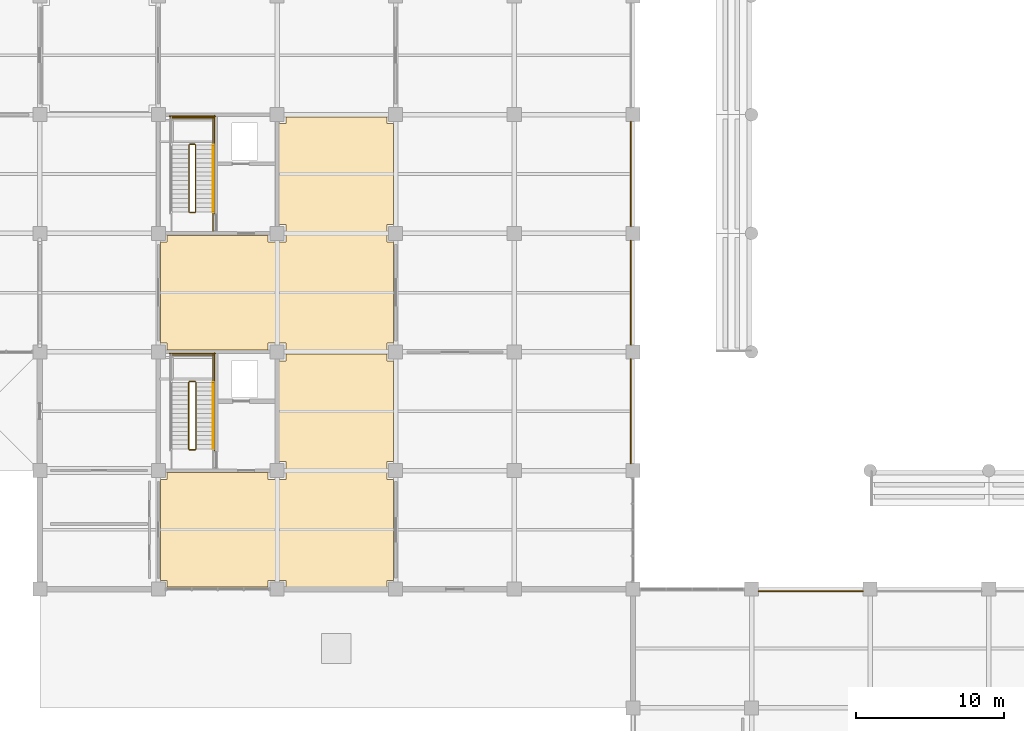
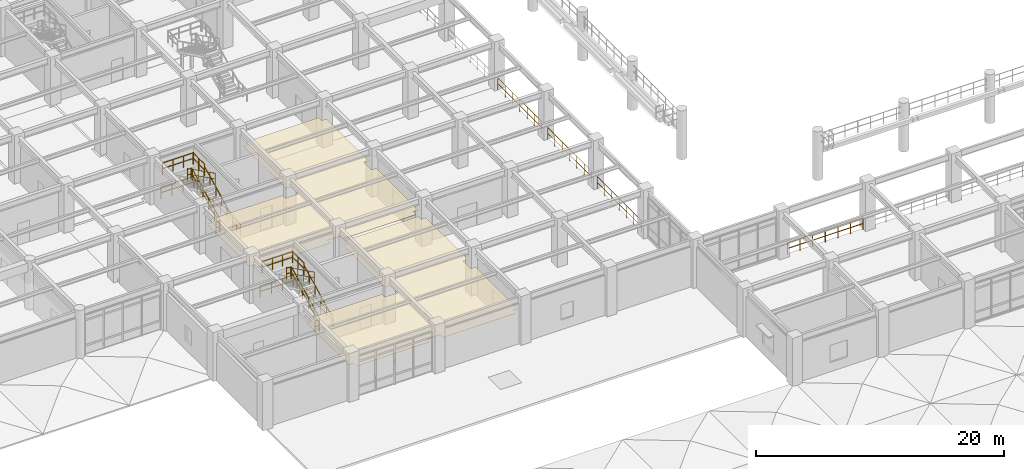
# One storey, part 93 of 109: 23 railings, 2 coverings.
"""IFC4 building model written with IfcOpenShell, lengths in metres."""

from ifc_helpers import new_model, si_unit, direction, frame, origin, origin_2d, place, context, subcontext, project, spatial, polyline, circle, outline, extrude, material, layer, layer_set, type_object, element, save


model = new_model("IFC4")

# Units and contexts
model_context = context("Model", 3, precision=1e-05, world=origin(), true_north=direction((0.0, 1.0)))
body_context = subcontext(model_context, "Body", "Model", "MODEL_VIEW")
ifc_project = project(units=[si_unit("LENGTHUNIT", "METRE"), si_unit("AREAUNIT", "SQUARE_METRE"), si_unit("VOLUMEUNIT", "CUBIC_METRE"), si_unit("PLANEANGLEUNIT", "RADIAN"), si_unit("MASSUNIT", "GRAM", prefix="KILO")], contexts=[model_context])

# Site, building, storey
site_placement = place(None, origin())
site = spatial("IfcSite", under=ifc_project, at=site_placement, CompositionType="ELEMENT")
building_placement = place(site_placement, origin())
building = spatial("IfcBuilding", under=site, at=building_placement, Name="Haebicheon Civic Stadium", CompositionType="ELEMENT")
storey_placement = place(building_placement, frame((0.0, 0.0, 9.60009765625)))
storey = spatial("IfcBuildingStorey", under=building, at=storey_placement, Name="L03", CompositionType="ELEMENT", Elevation=9.60009765625)

# Coverings
ifc_material_1 = material(Name="Perforated mineral-fibre acoustic board", Category="gypsum")
ifc_layer = layer(ifc_material_1, 0.0400390625, Name="Perforated mineral-fibre acoustic board")
ifc_layer_set = layer_set([ifc_layer], Name="Perforated mineral-fibre acoustic board")
covering_type = type_object("IfcCoveringType", Name="COV-CLG-AC", PredefinedType="CEILING", material=ifc_layer_set)
covering_1_placement = place(storey_placement, frame((0.0, 0.0, 2.809814453125)))
element("IfcCovering", 1, at=covering_1_placement, inside=storey, type_object=covering_type, material=ifc_layer_set, Name="L03 Supporters' Club Lounge acoustic ceiling", PredefinedType="CEILING", context=body_context, shape_type="SweptSolid", body=[
    extrude(outline(polyline([(32.14501953125, 39.405029296875), (32.594970703125, 39.405029296875), (32.594970703125, 39.85498046875), (39.405029296875, 39.85498046875), (39.405029296875, 39.405029296875), (40.594970703125, 39.405029296875), (40.594970703125, 40.594970703125), (40.14501953125, 40.594970703125), (40.14501953125, 47.405029296875), (40.594970703125, 47.405029296875), (40.594970703125, 47.85498046875), (47.405029296875, 47.85498046875), (47.405029296875, 47.405029296875), (47.85498046875, 47.405029296875), (47.85498046875, 40.594970703125), (47.405029296875, 40.594970703125), (47.405029296875, 39.405029296875), (47.85498046875, 39.405029296875), (47.85498046875, 32.594970703125), (47.405029296875, 32.594970703125), (47.405029296875, 32.14501953125), (40.594970703125, 32.14501953125), (40.594970703125, 32.594970703125), (39.405029296875, 32.594970703125), (39.405029296875, 32.14501953125), (32.594970703125, 32.14501953125), (32.594970703125, 32.594970703125), (32.14501953125, 32.594970703125), (32.14501953125, 39.405029296875)])), origin(), (0.0, 0.0, 1.0), 0.0400390625),
])
covering_2_placement = place(storey_placement, frame((0.0, 0.0, 2.809814453125)))
element("IfcCovering", 2, at=covering_2_placement, inside=storey, type_object=covering_type, material=ifc_layer_set, Name="L03 Club Dining Hall acoustic ceiling", PredefinedType="CEILING", context=body_context, shape_type="SweptSolid", body=[
    extrude(outline(polyline([(32.14501953125, 55.405029296875), (32.594970703125, 55.405029296875), (32.594970703125, 55.85498046875), (39.405029296875, 55.85498046875), (39.405029296875, 55.405029296875), (40.594970703125, 55.405029296875), (40.594970703125, 56.594970703125), (40.14501953125, 56.594970703125), (40.14501953125, 63.405029296875), (40.594970703125, 63.405029296875), (40.594970703125, 63.85498046875), (47.405029296875, 63.85498046875), (47.405029296875, 63.405029296875), (47.85498046875, 63.405029296875), (47.85498046875, 56.594970703125), (47.405029296875, 56.594970703125), (47.405029296875, 55.405029296875), (47.85498046875, 55.405029296875), (47.85498046875, 48.594970703125), (47.405029296875, 48.594970703125), (47.405029296875, 48.14501953125), (40.594970703125, 48.14501953125), (40.594970703125, 48.594970703125), (39.405029296875, 48.594970703125), (39.405029296875, 48.14501953125), (32.594970703125, 48.14501953125), (32.594970703125, 48.594970703125), (32.14501953125, 48.594970703125), (32.14501953125, 55.405029296875)])), origin(), (0.0, 0.0, 1.0), 0.0400390625),
])

# Railings
ifc_material_2 = material(Name="Stainless steel 316 and laminated glass", Category="steel")
railing_type_1 = type_object("IfcRailingType", Name="RL-BAL-1200", PredefinedType="BALUSTRADE", material=ifc_material_2)
for number, where, name in (
    (3, (63.860107421875, 40.47509765625, 0.0), "L03 concourse bowl-edge balustrade 042"),
    (4, (63.860107421875, 48.47509765625, 0.0), "L03 concourse bowl-edge balustrade 043"),
    (5, (63.860107421875, 56.47509765625, 0.0), "L03 concourse bowl-edge balustrade 044"),
):
    element("IfcRailing", number, at=place(storey_placement, frame(where)), inside=storey, type_object=railing_type_1, material=ifc_material_2, Name=name, PredefinedType="BALUSTRADE", context=body_context, shape_type="SweptSolid", body=[
        extrude(circle(Radius=0.02392578125, at=origin_2d()), frame((0.0, 0.0, 1.17578125), z_axis=(0.0, 1.0, 0.0), x_axis=(-1.0, 0.0, 0.0)), (0.0, 0.0, 1.0), 7.0498046875),
        extrude(circle(Radius=0.02392578125, at=origin_2d()), frame((0.0, 0.0, 0.60009765625), z_axis=(0.0, 1.0, 0.0), x_axis=(-1.0, 0.0, 0.0)), (0.0, 0.0, 1.0), 7.0498046875),
        extrude(circle(Radius=0.02099609375, at=origin_2d()), origin(), (0.0, 0.0, 1.0), 1.15185546875),
        extrude(circle(Radius=0.02099609375, at=origin_2d()), frame((0.0, 1.175048828125, 0.0)), (0.0, 0.0, 1.0), 1.15185546875),
        extrude(circle(Radius=0.02099609375, at=origin_2d()), frame((0.0, 2.349853515625, 0.0)), (0.0, 0.0, 1.0), 1.15185546875),
        extrude(circle(Radius=0.02099609375, at=origin_2d()), frame((0.0, 3.52490234375, 0.0)), (0.0, 0.0, 1.0), 1.15185546875),
        extrude(circle(Radius=0.02099609375, at=origin_2d()), frame((0.0, 4.699951171875, 0.0)), (0.0, 0.0, 1.0), 1.15185546875),
        extrude(circle(Radius=0.02099609375, at=origin_2d()), frame((0.0, 5.874755859375, 0.0)), (0.0, 0.0, 1.0), 1.15185546875),
        extrude(circle(Radius=0.02099609375, at=origin_2d()), frame((0.0, 7.0498046875, 0.0)), (0.0, 0.0, 1.0), 1.15185546875),
    ])
railing_1_placement = place(storey_placement, frame((72.47509765625, 31.860107421875, 0.0)))
element("IfcRailing", 6, at=railing_1_placement, inside=storey, type_object=railing_type_1, material=ifc_material_2, Name="L03 concourse bowl-edge balustrade 055", PredefinedType="BALUSTRADE", context=body_context, shape_type="SweptSolid", body=[
    extrude(circle(Radius=0.02392578125, at=origin_2d()), frame((0.0, 0.0, 1.17578125), z_axis=(1.0, 0.0, 0.0), x_axis=(0.0, 1.0, 0.0)), (0.0, 0.0, 1.0), 7.0498046875),
    extrude(circle(Radius=0.02392578125, at=origin_2d()), frame((0.0, 0.0, 0.60009765625), z_axis=(1.0, 0.0, 0.0), x_axis=(0.0, 1.0, 0.0)), (0.0, 0.0, 1.0), 7.0498046875),
    extrude(circle(Radius=0.02099609375, at=origin_2d()), origin(), (0.0, 0.0, 1.0), 1.15185546875),
    extrude(circle(Radius=0.02099609375, at=origin_2d()), frame((1.175048828125, 0.0, 0.0)), (0.0, 0.0, 1.0), 1.15185546875),
    extrude(circle(Radius=0.02099609375, at=origin_2d()), frame((2.349853515625, 0.0, 0.0)), (0.0, 0.0, 1.0), 1.15185546875),
    extrude(circle(Radius=0.02099609375, at=origin_2d()), frame((3.52490234375, 0.0, 0.0)), (0.0, 0.0, 1.0), 1.15185546875),
    extrude(circle(Radius=0.02099609375, at=origin_2d()), frame((4.699951171875, 0.0, 0.0)), (0.0, 0.0, 1.0), 1.15185546875),
    extrude(circle(Radius=0.02099609375, at=origin_2d()), frame((5.874755859375, 0.0, 0.0)), (0.0, 0.0, 1.0), 1.15185546875),
    extrude(circle(Radius=0.02099609375, at=origin_2d()), frame((7.0498046875, 0.0, 0.0)), (0.0, 0.0, 1.0), 1.15185546875),
])
ifc_material_3 = material(Name="Galvanised painted steel SM355", Category="steel")
railing_type_2 = type_object("IfcRailingType", Name="RL-GRD-1150", PredefinedType="GUARDRAIL", material=ifc_material_3)
railing_2_placement = place(storey_placement, frame((34.530029296875, 41.449951171875, 0.14990234375)))
element("IfcRailing", 7, at=railing_2_placement, inside=storey, type_object=railing_type_2, material=ifc_material_3, Name="L03 ST-01 stair guard 1", PredefinedType="GUARDRAIL", context=body_context, shape_type="SweptSolid", body=[
    extrude(circle(Radius=0.02392578125, at=origin_2d()), frame((0.0, 0.0, 1.1259765625), z_axis=(0.0, 0.894427191, 0.4472135955), x_axis=(-1.0, 0.0, 0.0)), (0.0, 0.0, 1.0), 5.03125),
    extrude(circle(Radius=0.02392578125, at=origin_2d()), frame((0.0, 0.0, 0.574951171875), z_axis=(0.0, 0.894427191, 0.4472135955), x_axis=(-1.0, 0.0, 0.0)), (0.0, 0.0, 1.0), 5.03125),
    extrude(circle(Radius=0.02099609375, at=origin_2d()), origin(), (0.0, 0.0, 1.0), 1.101806640625),
    extrude(circle(Radius=0.02099609375, at=origin_2d()), frame((0.0, 0.89990234375, 0.449951171875)), (0.0, 0.0, 1.0), 1.101806640625),
    extrude(circle(Radius=0.02099609375, at=origin_2d()), frame((0.0, 1.800048828125, 0.89990234375)), (0.0, 0.0, 1.0), 1.101806640625),
    extrude(circle(Radius=0.02099609375, at=origin_2d()), frame((0.0, 2.699951171875, 1.35009765625)), (0.0, 0.0, 1.0), 1.101806640625),
    extrude(circle(Radius=0.02099609375, at=origin_2d()), frame((0.0, 3.60009765625, 1.800048828125)), (0.0, 0.0, 1.0), 1.101806640625),
    extrude(circle(Radius=0.02099609375, at=origin_2d()), frame((0.0, 4.5, 2.25)), (0.0, 0.0, 1.0), 1.101806640625),
])
railing_3_placement = place(storey_placement, frame((34.47998046875, 46.0, 2.39990234375)))
element("IfcRailing", 8, at=railing_3_placement, inside=storey, type_object=railing_type_2, material=ifc_material_3, Name="L03 ST-01 stair guard 2", PredefinedType="GUARDRAIL", context=body_context, shape_type="SweptSolid", body=[
    extrude(circle(Radius=0.02392578125, at=origin_2d()), frame((0.0, 0.0, 1.1259765625), z_axis=(-1.0, 0.0, 0.0), x_axis=(0.0, -1.0, 0.0)), (0.0, 0.0, 1.0), 0.3798828125),
    extrude(circle(Radius=0.02392578125, at=origin_2d()), frame((0.0, 0.0, 0.574951171875), z_axis=(-1.0, 0.0, 0.0), x_axis=(0.0, -1.0, 0.0)), (0.0, 0.0, 1.0), 0.3798828125),
    extrude(circle(Radius=0.02099609375, at=origin_2d()), origin(), (0.0, 0.0, 1.0), 1.101806640625),
    extrude(circle(Radius=0.02099609375, at=origin_2d()), frame((-0.3798828125, 0.0, 0.0)), (0.0, 0.0, 1.0), 1.101806640625),
])
railing_4_placement = place(storey_placement, frame((35.68994140625, 45.949951171875, 2.39990234375)))
element("IfcRailing", 9, at=railing_4_placement, inside=storey, type_object=railing_type_2, material=ifc_material_3, Name="L03 ST-01 stair guard 3", PredefinedType="GUARDRAIL", context=body_context, shape_type="SweptSolid", body=[
    extrude(circle(Radius=0.02392578125, at=origin_2d()), frame((0.0, 0.0, 1.1259765625), z_axis=(0.0, 1.0, 0.0), x_axis=(-1.0, 0.0, 0.0)), (0.0, 0.0, 1.0), 1.89013671875),
    extrude(circle(Radius=0.02392578125, at=origin_2d()), frame((0.0, 0.0, 0.574951171875), z_axis=(0.0, 1.0, 0.0), x_axis=(-1.0, 0.0, 0.0)), (0.0, 0.0, 1.0), 1.89013671875),
    extrude(circle(Radius=0.02099609375, at=origin_2d()), origin(), (0.0, 0.0, 1.0), 1.101806640625),
    extrude(circle(Radius=0.02099609375, at=origin_2d()), frame((0.0, 0.945068359375, 0.0)), (0.0, 0.0, 1.0), 1.101806640625),
    extrude(circle(Radius=0.02099609375, at=origin_2d()), frame((0.0, 1.89013671875, 0.0)), (0.0, 0.0, 1.0), 1.101806640625),
])
railing_5_placement = place(storey_placement, frame((35.739990234375, 47.7900390625, 2.39990234375)))
element("IfcRailing", 10, at=railing_5_placement, inside=storey, type_object=railing_type_2, material=ifc_material_3, Name="L03 ST-01 stair guard 5", PredefinedType="GUARDRAIL", context=body_context, shape_type="SweptSolid", body=[
    extrude(circle(Radius=0.02392578125, at=origin_2d()), frame((0.0, 0.0, 1.1259765625), z_axis=(-1.0, 0.0, 0.0), x_axis=(0.0, -1.0, 0.0)), (0.0, 0.0, 1.0), 2.89990234375),
    extrude(circle(Radius=0.02392578125, at=origin_2d()), frame((0.0, 0.0, 0.574951171875), z_axis=(-1.0, 0.0, 0.0), x_axis=(0.0, -1.0, 0.0)), (0.0, 0.0, 1.0), 2.89990234375),
    extrude(circle(Radius=0.02099609375, at=origin_2d()), origin(), (0.0, 0.0, 1.0), 1.101806640625),
    extrude(circle(Radius=0.02099609375, at=origin_2d()), frame((-0.966552734375, 0.0, 0.0)), (0.0, 0.0, 1.0), 1.101806640625),
    extrude(circle(Radius=0.02099609375, at=origin_2d()), frame((-1.933349609375, 0.0, 0.0)), (0.0, 0.0, 1.0), 1.101806640625),
    extrude(circle(Radius=0.02099609375, at=origin_2d()), frame((-2.89990234375, 0.0, 0.0)), (0.0, 0.0, 1.0), 1.101806640625),
])
railing_6_placement = place(storey_placement, frame((34.050048828125, 45.949951171875, 2.5498046875)))
element("IfcRailing", 11, at=railing_6_placement, inside=storey, type_object=railing_type_2, material=ifc_material_3, Name="L03 ST-01 stair guard 6", PredefinedType="GUARDRAIL", context=body_context, shape_type="SweptSolid", body=[
    extrude(circle(Radius=0.02392578125, at=origin_2d()), frame((0.0, 0.0, 1.1259765625), z_axis=(0.0, -0.894427191, 0.4472135955), x_axis=(1.0, 0.0, 0.0)), (0.0, 0.0, 1.0), 5.03125),
    extrude(circle(Radius=0.02392578125, at=origin_2d()), frame((0.0, 0.0, 0.574951171875), z_axis=(0.0, -0.894427191, 0.4472135955), x_axis=(1.0, 0.0, 0.0)), (0.0, 0.0, 1.0), 5.03125),
    extrude(circle(Radius=0.02099609375, at=origin_2d()), origin(), (0.0, 0.0, 1.0), 1.101806640625),
    extrude(circle(Radius=0.02099609375, at=origin_2d()), frame((0.0, -0.89990234375, 0.449951171875)), (0.0, 0.0, 1.0), 1.101806640625),
    extrude(circle(Radius=0.02099609375, at=origin_2d()), frame((0.0, -1.800048828125, 0.89990234375)), (0.0, 0.0, 1.0), 1.101806640625),
    extrude(circle(Radius=0.02099609375, at=origin_2d()), frame((0.0, -2.699951171875, 1.35009765625)), (0.0, 0.0, 1.0), 1.101806640625),
    extrude(circle(Radius=0.02099609375, at=origin_2d()), frame((0.0, -3.60009765625, 1.800048828125)), (0.0, 0.0, 1.0), 1.101806640625),
    extrude(circle(Radius=0.02099609375, at=origin_2d()), frame((0.0, -4.5, 2.25)), (0.0, 0.0, 1.0), 1.101806640625),
])
railing_7_placement = place(storey_placement, frame((34.47998046875, 41.39990234375, 0.0)))
element("IfcRailing", 12, at=railing_7_placement, inside=storey, type_object=railing_type_2, material=ifc_material_3, Name="L03 ST-01 stair guard 7", PredefinedType="GUARDRAIL", context=body_context, shape_type="SweptSolid", body=[
    extrude(circle(Radius=0.02392578125, at=origin_2d()), frame((0.0, 0.0, 1.1259765625), z_axis=(-1.0, 0.0, 0.0), x_axis=(0.0, -1.0, 0.0)), (0.0, 0.0, 1.0), 0.3798828125),
    extrude(circle(Radius=0.02392578125, at=origin_2d()), frame((0.0, 0.0, 0.574951171875), z_axis=(-1.0, 0.0, 0.0), x_axis=(0.0, -1.0, 0.0)), (0.0, 0.0, 1.0), 0.3798828125),
    extrude(circle(Radius=0.02099609375, at=origin_2d()), origin(), (0.0, 0.0, 1.0), 1.101806640625),
    extrude(circle(Radius=0.02099609375, at=origin_2d()), frame((-0.3798828125, 0.0, 0.0)), (0.0, 0.0, 1.0), 1.101806640625),
])
railing_8_placement = place(storey_placement, frame((35.7900390625, 41.35009765625, 0.0)))
element("IfcRailing", 13, at=railing_8_placement, inside=storey, type_object=railing_type_2, material=ifc_material_3, Name="L03 ST-01 stair guard 10", PredefinedType="GUARDRAIL", context=body_context, shape_type="SweptSolid", body=[
    extrude(circle(Radius=0.02392578125, at=origin_2d()), frame((0.0, 0.0, 1.1259765625), z_axis=(0.0, 1.0, 0.0), x_axis=(-1.0, 0.0, 0.0)), (0.0, 0.0, 1.0), 6.58984375),
    extrude(circle(Radius=0.02392578125, at=origin_2d()), frame((0.0, 0.0, 0.574951171875), z_axis=(0.0, 1.0, 0.0), x_axis=(-1.0, 0.0, 0.0)), (0.0, 0.0, 1.0), 6.58984375),
    extrude(circle(Radius=0.02099609375, at=origin_2d()), origin(), (0.0, 0.0, 1.0), 1.101806640625),
    extrude(circle(Radius=0.02099609375, at=origin_2d()), frame((0.0, 1.098388671875, 0.0)), (0.0, 0.0, 1.0), 1.101806640625),
    extrude(circle(Radius=0.02099609375, at=origin_2d()), frame((0.0, 2.196533203125, 0.0)), (0.0, 0.0, 1.0), 1.101806640625),
    extrude(circle(Radius=0.02099609375, at=origin_2d()), frame((0.0, 3.294921875, 0.0)), (0.0, 0.0, 1.0), 1.101806640625),
    extrude(circle(Radius=0.02099609375, at=origin_2d()), frame((0.0, 4.393310546875, 0.0)), (0.0, 0.0, 1.0), 1.101806640625),
    extrude(circle(Radius=0.02099609375, at=origin_2d()), frame((0.0, 5.491455078125, 0.0)), (0.0, 0.0, 1.0), 1.101806640625),
    extrude(circle(Radius=0.02099609375, at=origin_2d()), frame((0.0, 6.58984375, 0.0)), (0.0, 0.0, 1.0), 1.101806640625),
])
railing_9_placement = place(storey_placement, frame((35.840087890625, 47.889892578125, 0.0)))
element("IfcRailing", 14, at=railing_9_placement, inside=storey, type_object=railing_type_2, material=ifc_material_3, Name="L03 ST-01 stair guard 12", PredefinedType="GUARDRAIL", context=body_context, shape_type="SweptSolid", body=[
    extrude(circle(Radius=0.02392578125, at=origin_2d()), frame((0.0, 0.0, 1.1259765625), z_axis=(-1.0, 0.0, 0.0), x_axis=(0.0, -1.0, 0.0)), (0.0, 0.0, 1.0), 3.10009765625),
    extrude(circle(Radius=0.02392578125, at=origin_2d()), frame((0.0, 0.0, 0.574951171875), z_axis=(-1.0, 0.0, 0.0), x_axis=(0.0, -1.0, 0.0)), (0.0, 0.0, 1.0), 3.10009765625),
    extrude(circle(Radius=0.02099609375, at=origin_2d()), origin(), (0.0, 0.0, 1.0), 1.101806640625),
    extrude(circle(Radius=0.02099609375, at=origin_2d()), frame((-1.033447265625, 0.0, 0.0)), (0.0, 0.0, 1.0), 1.101806640625),
    extrude(circle(Radius=0.02099609375, at=origin_2d()), frame((-2.066650390625, 0.0, 0.0)), (0.0, 0.0, 1.0), 1.101806640625),
    extrude(circle(Radius=0.02099609375, at=origin_2d()), frame((-3.10009765625, 0.0, 0.0)), (0.0, 0.0, 1.0), 1.101806640625),
])
railing_10_placement = place(storey_placement, frame((34.510009765625, 57.449951171875, 0.14990234375)))
element("IfcRailing", 15, at=railing_10_placement, inside=storey, type_object=railing_type_2, material=ifc_material_3, Name="L03 ST-02 stair guard 1", PredefinedType="GUARDRAIL", context=body_context, shape_type="SweptSolid", body=[
    extrude(circle(Radius=0.02392578125, at=origin_2d()), frame((0.0, 0.0, 1.1259765625), z_axis=(0.0, 0.894427191, 0.4472135955), x_axis=(-1.0, 0.0, 0.0)), (0.0, 0.0, 1.0), 5.03125),
    extrude(circle(Radius=0.02392578125, at=origin_2d()), frame((0.0, 0.0, 0.574951171875), z_axis=(0.0, 0.894427191, 0.4472135955), x_axis=(-1.0, 0.0, 0.0)), (0.0, 0.0, 1.0), 5.03125),
    extrude(circle(Radius=0.02099609375, at=origin_2d()), origin(), (0.0, 0.0, 1.0), 1.101806640625),
    extrude(circle(Radius=0.02099609375, at=origin_2d()), frame((0.0, 0.89990234375, 0.449951171875)), (0.0, 0.0, 1.0), 1.101806640625),
    extrude(circle(Radius=0.02099609375, at=origin_2d()), frame((0.0, 1.800048828125, 0.89990234375)), (0.0, 0.0, 1.0), 1.101806640625),
    extrude(circle(Radius=0.02099609375, at=origin_2d()), frame((0.0, 2.699951171875, 1.35009765625)), (0.0, 0.0, 1.0), 1.101806640625),
    extrude(circle(Radius=0.02099609375, at=origin_2d()), frame((0.0, 3.60009765625, 1.800048828125)), (0.0, 0.0, 1.0), 1.101806640625),
    extrude(circle(Radius=0.02099609375, at=origin_2d()), frame((0.0, 4.5, 2.25)), (0.0, 0.0, 1.0), 1.101806640625),
])
railing_11_placement = place(storey_placement, frame((34.4599609375, 62.0, 2.39990234375)))
element("IfcRailing", 16, at=railing_11_placement, inside=storey, type_object=railing_type_2, material=ifc_material_3, Name="L03 ST-02 stair guard 2", PredefinedType="GUARDRAIL", context=body_context, shape_type="SweptSolid", body=[
    extrude(circle(Radius=0.02392578125, at=origin_2d()), frame((0.0, 0.0, 1.1259765625), z_axis=(-1.0, 0.0, 0.0), x_axis=(0.0, -1.0, 0.0)), (0.0, 0.0, 1.0), 0.33984375),
    extrude(circle(Radius=0.02392578125, at=origin_2d()), frame((0.0, 0.0, 0.574951171875), z_axis=(-1.0, 0.0, 0.0), x_axis=(0.0, -1.0, 0.0)), (0.0, 0.0, 1.0), 0.33984375),
    extrude(circle(Radius=0.02099609375, at=origin_2d()), origin(), (0.0, 0.0, 1.0), 1.101806640625),
    extrude(circle(Radius=0.02099609375, at=origin_2d()), frame((-0.33984375, 0.0, 0.0)), (0.0, 0.0, 1.0), 1.101806640625),
])
railing_12_placement = place(storey_placement, frame((35.68994140625, 61.949951171875, 2.39990234375)))
element("IfcRailing", 17, at=railing_12_placement, inside=storey, type_object=railing_type_2, material=ifc_material_3, Name="L03 ST-02 stair guard 3", PredefinedType="GUARDRAIL", context=body_context, shape_type="SweptSolid", body=[
    extrude(circle(Radius=0.02392578125, at=origin_2d()), frame((0.0, 0.0, 1.1259765625), z_axis=(0.0, 1.0, 0.0), x_axis=(-1.0, 0.0, 0.0)), (0.0, 0.0, 1.0), 1.89013671875),
    extrude(circle(Radius=0.02392578125, at=origin_2d()), frame((0.0, 0.0, 0.574951171875), z_axis=(0.0, 1.0, 0.0), x_axis=(-1.0, 0.0, 0.0)), (0.0, 0.0, 1.0), 1.89013671875),
    extrude(circle(Radius=0.02099609375, at=origin_2d()), origin(), (0.0, 0.0, 1.0), 1.101806640625),
    extrude(circle(Radius=0.02099609375, at=origin_2d()), frame((0.0, 0.945068359375, 0.0)), (0.0, 0.0, 1.0), 1.101806640625),
    extrude(circle(Radius=0.02099609375, at=origin_2d()), frame((0.0, 1.89013671875, 0.0)), (0.0, 0.0, 1.0), 1.101806640625),
])
railing_13_placement = place(storey_placement, frame((35.739990234375, 63.7900390625, 2.39990234375)))
element("IfcRailing", 18, at=railing_13_placement, inside=storey, type_object=railing_type_2, material=ifc_material_3, Name="L03 ST-02 stair guard 5", PredefinedType="GUARDRAIL", context=body_context, shape_type="SweptSolid", body=[
    extrude(circle(Radius=0.02392578125, at=origin_2d()), frame((0.0, 0.0, 1.1259765625), z_axis=(-1.0, 0.0, 0.0), x_axis=(0.0, -1.0, 0.0)), (0.0, 0.0, 1.0), 2.89990234375),
    extrude(circle(Radius=0.02392578125, at=origin_2d()), frame((0.0, 0.0, 0.574951171875), z_axis=(-1.0, 0.0, 0.0), x_axis=(0.0, -1.0, 0.0)), (0.0, 0.0, 1.0), 2.89990234375),
    extrude(circle(Radius=0.02099609375, at=origin_2d()), origin(), (0.0, 0.0, 1.0), 1.101806640625),
    extrude(circle(Radius=0.02099609375, at=origin_2d()), frame((-0.966552734375, 0.0, 0.0)), (0.0, 0.0, 1.0), 1.101806640625),
    extrude(circle(Radius=0.02099609375, at=origin_2d()), frame((-1.933349609375, 0.0, 0.0)), (0.0, 0.0, 1.0), 1.101806640625),
    extrude(circle(Radius=0.02099609375, at=origin_2d()), frame((-2.89990234375, 0.0, 0.0)), (0.0, 0.0, 1.0), 1.101806640625),
])
railing_14_placement = place(storey_placement, frame((34.070068359375, 61.949951171875, 2.5498046875)))
element("IfcRailing", 19, at=railing_14_placement, inside=storey, type_object=railing_type_2, material=ifc_material_3, Name="L03 ST-02 stair guard 6", PredefinedType="GUARDRAIL", context=body_context, shape_type="SweptSolid", body=[
    extrude(circle(Radius=0.02392578125, at=origin_2d()), frame((0.0, 0.0, 1.1259765625), z_axis=(0.0, -0.894427191, 0.4472135955), x_axis=(1.0, 0.0, 0.0)), (0.0, 0.0, 1.0), 5.03125),
    extrude(circle(Radius=0.02392578125, at=origin_2d()), frame((0.0, 0.0, 0.574951171875), z_axis=(0.0, -0.894427191, 0.4472135955), x_axis=(1.0, 0.0, 0.0)), (0.0, 0.0, 1.0), 5.03125),
    extrude(circle(Radius=0.02099609375, at=origin_2d()), origin(), (0.0, 0.0, 1.0), 1.101806640625),
    extrude(circle(Radius=0.02099609375, at=origin_2d()), frame((0.0, -0.89990234375, 0.449951171875)), (0.0, 0.0, 1.0), 1.101806640625),
    extrude(circle(Radius=0.02099609375, at=origin_2d()), frame((0.0, -1.800048828125, 0.89990234375)), (0.0, 0.0, 1.0), 1.101806640625),
    extrude(circle(Radius=0.02099609375, at=origin_2d()), frame((0.0, -2.699951171875, 1.35009765625)), (0.0, 0.0, 1.0), 1.101806640625),
    extrude(circle(Radius=0.02099609375, at=origin_2d()), frame((0.0, -3.60009765625, 1.800048828125)), (0.0, 0.0, 1.0), 1.101806640625),
    extrude(circle(Radius=0.02099609375, at=origin_2d()), frame((0.0, -4.5, 2.25)), (0.0, 0.0, 1.0), 1.101806640625),
])
railing_15_placement = place(storey_placement, frame((34.4599609375, 57.39990234375, 0.0)))
element("IfcRailing", 20, at=railing_15_placement, inside=storey, type_object=railing_type_2, material=ifc_material_3, Name="L03 ST-02 stair guard 7", PredefinedType="GUARDRAIL", context=body_context, shape_type="SweptSolid", body=[
    extrude(circle(Radius=0.02392578125, at=origin_2d()), frame((0.0, 0.0, 1.1259765625), z_axis=(-1.0, 0.0, 0.0), x_axis=(0.0, -1.0, 0.0)), (0.0, 0.0, 1.0), 0.33984375),
    extrude(circle(Radius=0.02392578125, at=origin_2d()), frame((0.0, 0.0, 0.574951171875), z_axis=(-1.0, 0.0, 0.0), x_axis=(0.0, -1.0, 0.0)), (0.0, 0.0, 1.0), 0.33984375),
    extrude(circle(Radius=0.02099609375, at=origin_2d()), origin(), (0.0, 0.0, 1.0), 1.101806640625),
    extrude(circle(Radius=0.02099609375, at=origin_2d()), frame((-0.33984375, 0.0, 0.0)), (0.0, 0.0, 1.0), 1.101806640625),
])
railing_16_placement = place(storey_placement, frame((35.68994140625, 56.159912109375, 0.0)))
element("IfcRailing", 21, at=railing_16_placement, inside=storey, type_object=railing_type_2, material=ifc_material_3, Name="L03 ST-02 stair guard 8", PredefinedType="GUARDRAIL", context=body_context, shape_type="SweptSolid", body=[
    extrude(circle(Radius=0.02392578125, at=origin_2d()), frame((0.0, 0.0, 1.1259765625), z_axis=(0.0, 1.0, 0.0), x_axis=(-1.0, 0.0, 0.0)), (0.0, 0.0, 1.0), 1.2900390625),
    extrude(circle(Radius=0.02392578125, at=origin_2d()), frame((0.0, 0.0, 0.574951171875), z_axis=(0.0, 1.0, 0.0), x_axis=(-1.0, 0.0, 0.0)), (0.0, 0.0, 1.0), 1.2900390625),
    extrude(circle(Radius=0.02099609375, at=origin_2d()), origin(), (0.0, 0.0, 1.0), 1.101806640625),
    extrude(circle(Radius=0.02099609375, at=origin_2d()), frame((0.0, 0.64501953125, 0.0)), (0.0, 0.0, 1.0), 1.101806640625),
    extrude(circle(Radius=0.02099609375, at=origin_2d()), frame((0.0, 1.2900390625, 0.0)), (0.0, 0.0, 1.0), 1.101806640625),
])
railing_17_placement = place(storey_placement, frame((35.7900390625, 57.35009765625, 0.0)))
element("IfcRailing", 22, at=railing_17_placement, inside=storey, type_object=railing_type_2, material=ifc_material_3, Name="L03 ST-02 stair guard 10", PredefinedType="GUARDRAIL", context=body_context, shape_type="SweptSolid", body=[
    extrude(circle(Radius=0.02392578125, at=origin_2d()), frame((0.0, 0.0, 1.1259765625), z_axis=(0.0, 1.0, 0.0), x_axis=(-1.0, 0.0, 0.0)), (0.0, 0.0, 1.0), 6.58984375),
    extrude(circle(Radius=0.02392578125, at=origin_2d()), frame((0.0, 0.0, 0.574951171875), z_axis=(0.0, 1.0, 0.0), x_axis=(-1.0, 0.0, 0.0)), (0.0, 0.0, 1.0), 6.58984375),
    extrude(circle(Radius=0.02099609375, at=origin_2d()), origin(), (0.0, 0.0, 1.0), 1.101806640625),
    extrude(circle(Radius=0.02099609375, at=origin_2d()), frame((0.0, 1.098388671875, 0.0)), (0.0, 0.0, 1.0), 1.101806640625),
    extrude(circle(Radius=0.02099609375, at=origin_2d()), frame((0.0, 2.196533203125, 0.0)), (0.0, 0.0, 1.0), 1.101806640625),
    extrude(circle(Radius=0.02099609375, at=origin_2d()), frame((0.0, 3.294921875, 0.0)), (0.0, 0.0, 1.0), 1.101806640625),
    extrude(circle(Radius=0.02099609375, at=origin_2d()), frame((0.0, 4.393310546875, 0.0)), (0.0, 0.0, 1.0), 1.101806640625),
    extrude(circle(Radius=0.02099609375, at=origin_2d()), frame((0.0, 5.491455078125, 0.0)), (0.0, 0.0, 1.0), 1.101806640625),
    extrude(circle(Radius=0.02099609375, at=origin_2d()), frame((0.0, 6.58984375, 0.0)), (0.0, 0.0, 1.0), 1.101806640625),
])
railing_18_placement = place(storey_placement, frame((35.840087890625, 63.889892578125, 0.0)))
element("IfcRailing", 23, at=railing_18_placement, inside=storey, type_object=railing_type_2, material=ifc_material_3, Name="L03 ST-02 stair guard 12", PredefinedType="GUARDRAIL", context=body_context, shape_type="SweptSolid", body=[
    extrude(circle(Radius=0.02392578125, at=origin_2d()), frame((0.0, 0.0, 1.1259765625), z_axis=(-1.0, 0.0, 0.0), x_axis=(0.0, -1.0, 0.0)), (0.0, 0.0, 1.0), 3.10009765625),
    extrude(circle(Radius=0.02392578125, at=origin_2d()), frame((0.0, 0.0, 0.574951171875), z_axis=(-1.0, 0.0, 0.0), x_axis=(0.0, -1.0, 0.0)), (0.0, 0.0, 1.0), 3.10009765625),
    extrude(circle(Radius=0.02099609375, at=origin_2d()), origin(), (0.0, 0.0, 1.0), 1.101806640625),
    extrude(circle(Radius=0.02099609375, at=origin_2d()), frame((-1.033447265625, 0.0, 0.0)), (0.0, 0.0, 1.0), 1.101806640625),
    extrude(circle(Radius=0.02099609375, at=origin_2d()), frame((-2.066650390625, 0.0, 0.0)), (0.0, 0.0, 1.0), 1.101806640625),
    extrude(circle(Radius=0.02099609375, at=origin_2d()), frame((-3.10009765625, 0.0, 0.0)), (0.0, 0.0, 1.0), 1.101806640625),
])
ifc_material_4 = material(Name="Stainless steel 316", Category="steel")
railing_type_3 = type_object("IfcRailingType", Name="RL-HND-900", PredefinedType="HANDRAIL", material=ifc_material_4)
for number, where, name in (
    (24, (35.68994140625, 41.449951171875, 0.14990234375), "L03 ST-01 stair handrail 1"),
    (25, (35.68994140625, 57.449951171875, 0.14990234375), "L03 ST-02 stair handrail 1"),
):
    element("IfcRailing", number, at=place(storey_placement, frame(where)), inside=storey, type_object=railing_type_3, material=ifc_material_4, Name=name, PredefinedType="HANDRAIL", context=body_context, shape_type="SweptSolid", body=[
        extrude(circle(Radius=0.02392578125, at=origin_2d()), frame((0.0, 0.0, 0.8759765625), z_axis=(0.0, 0.894427191, 0.4472135955), x_axis=(-1.0, 0.0, 0.0)), (0.0, 0.0, 1.0), 5.03125),
        extrude(circle(Radius=0.02099609375, at=origin_2d()), origin(), (0.0, 0.0, 1.0), 0.851806640625),
        extrude(circle(Radius=0.02099609375, at=origin_2d()), frame((0.0, 0.89990234375, 0.449951171875)), (0.0, 0.0, 1.0), 0.851806640625),
        extrude(circle(Radius=0.02099609375, at=origin_2d()), frame((0.0, 1.800048828125, 0.89990234375)), (0.0, 0.0, 1.0), 0.851806640625),
        extrude(circle(Radius=0.02099609375, at=origin_2d()), frame((0.0, 2.699951171875, 1.35009765625)), (0.0, 0.0, 1.0), 0.851806640625),
        extrude(circle(Radius=0.02099609375, at=origin_2d()), frame((0.0, 3.60009765625, 1.800048828125)), (0.0, 0.0, 1.0), 0.851806640625),
        extrude(circle(Radius=0.02099609375, at=origin_2d()), frame((0.0, 4.5, 2.25)), (0.0, 0.0, 1.0), 0.851806640625),
    ])

save(model, "model.ifc")
